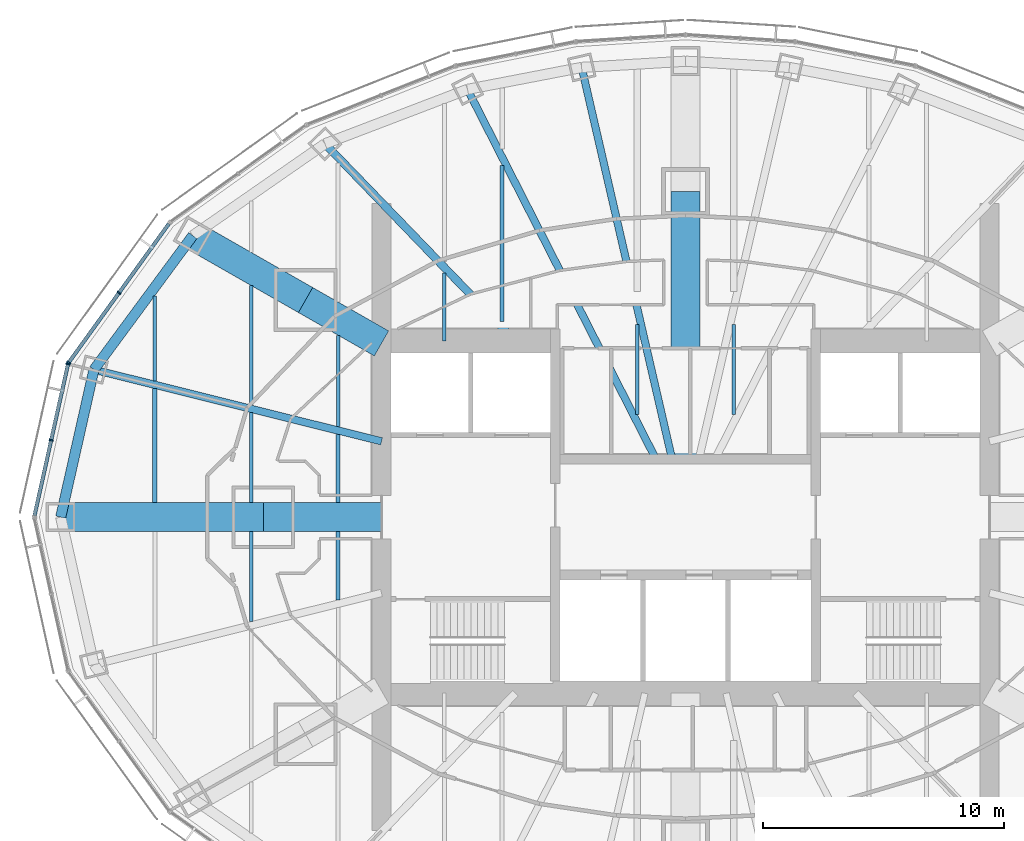
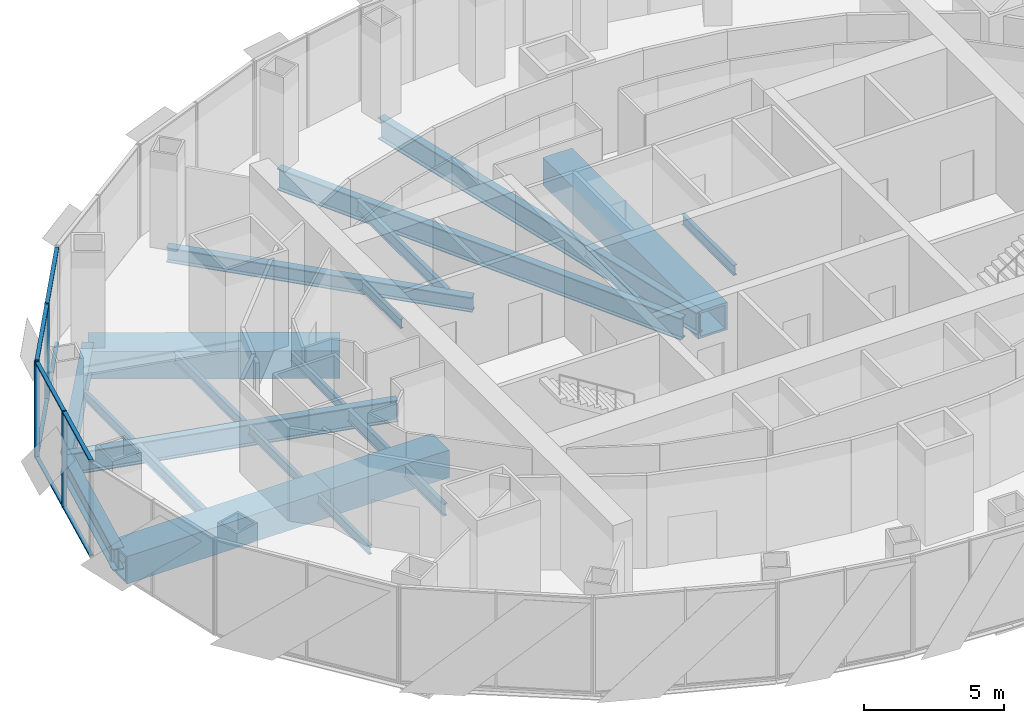
# One storey, part 4 of 17: 23 beams, 12 members, 2 elements without a shape of their own.
"""IFC4 building model written with IfcOpenShell, lengths in metres."""

import ifcopenshell
import ifcopenshell.guid

model = None  # the IFC model being written
_history = None  # IfcOwnerHistory: only IFC2X3 demands one
_inside = {}  # id of a spatial element -> (the spatial element, [elements in it])
_under = {}  # id of a project, library or spatial element -> (it, [spatial elements below it])
_declared = {}  # id of a project -> (the project, [libraries it declares])
_typed = {}  # id of a type object -> (the type object, [elements of that type])
_made_of = {}  # id of a material, layer set ... -> (it, [elements and type objects made of it])


def new_model(schema):
    """Start an empty IFC model of exactly this schema.

    Asked for "IFC4X3", IfcOpenShell would pick the latest addendum, in which some entities
    have other attributes; the version numbers below select the first issue.
    IFC2X3 requires an IfcOwnerHistory on every rooted entity: one is made here for all.
    """
    global model, _history
    if schema == "IFC4X3":
        model = ifcopenshell.file(schema_version=(4, 3, 0, 0))
    else:
        model = ifcopenshell.file(schema=schema)
    _inside.clear()
    _under.clear()
    _declared.clear()
    _typed.clear()
    _made_of.clear()
    _history = None
    if model.schema == "IFC2X3":
        org = make("IfcOrganization", Name="unknown")
        user = make(
            "IfcPersonAndOrganization",
            ThePerson=make("IfcPerson", FamilyName="unknown"),
            TheOrganization=org,
        )
        app = make(
            "IfcApplication",
            ApplicationDeveloper=org,
            Version="unknown",
            ApplicationFullName="unknown",
            ApplicationIdentifier="unknown",
        )
        _history = make(
            "IfcOwnerHistory",
            OwningUser=user,
            OwningApplication=app,
            ChangeAction="ADDED",
            CreationDate=0,
        )
    return model


def make(cls, **values):
    """One entity of the class cls with the attributes given. An attribute that is None is left unset."""
    return model.create_entity(
        cls, **{name: value for name, value in values.items() if value is not None}
    )


def rooted(cls, **values):
    """An entity with a GlobalId (a new one), such as an element, a storey or a relation."""
    return make(cls, GlobalId=ifcopenshell.guid.new(), OwnerHistory=_history, **values)


def si_unit(unit_type, name, prefix=None):
    """IfcSIUnit, for example si_unit("LENGTHUNIT", "METRE", prefix="MILLI")."""
    return make("IfcSIUnit", UnitType=unit_type, Prefix=prefix, Name=name)


def assignment(units):
    """IfcUnitAssignment: the units of a project."""
    return None if units is None else make("IfcUnitAssignment", Units=units)


def point(xyz):
    """IfcCartesianPoint."""
    return None if xyz is None else make("IfcCartesianPoint", Coordinates=xyz)


def direction(xyz):
    """IfcDirection."""
    return None if xyz is None else make("IfcDirection", DirectionRatios=xyz)


def frame(location, z_axis=None, x_axis=None):
    """IfcAxis2Placement3D, a coordinate frame: its origin and axes. An axis left out is left unset."""
    return make(
        "IfcAxis2Placement3D",
        Location=point(location),
        Axis=direction(z_axis),
        RefDirection=direction(x_axis),
    )


def frame_2d(location, x_axis=None):
    """IfcAxis2Placement2D, a coordinate frame in the plane: its origin and x axis."""
    return make(
        "IfcAxis2Placement2D", Location=point(location), RefDirection=direction(x_axis)
    )


def origin():
    """The frame at (0, 0, 0) with its axes left unset."""
    return frame((0.0, 0.0, 0.0))


def origin_2d():
    """The frame at (0, 0) in the plane with its x axis left unset."""
    return frame_2d((0.0, 0.0))


def place(relative_to, where):
    """IfcLocalPlacement: puts the frame where relative to a parent placement (None: the world)."""
    return make(
        "IfcLocalPlacement", PlacementRelTo=relative_to, RelativePlacement=where
    )


def context(
    kind, dimensions, precision=None, world=None, true_north=None, identifier=None
):
    """IfcGeometricRepresentationContext, for example the 3D "Model" context."""
    return make(
        "IfcGeometricRepresentationContext",
        ContextIdentifier=identifier,
        ContextType=kind,
        CoordinateSpaceDimension=dimensions,
        Precision=precision,
        WorldCoordinateSystem=world,
        TrueNorth=true_north,
    )


def subcontext(parent, identifier, kind, view, scale=None):
    """IfcGeometricRepresentationSubContext, for example "Body" below "Model"."""
    return make(
        "IfcGeometricRepresentationSubContext",
        ContextIdentifier=identifier,
        ContextType=kind,
        ParentContext=parent,
        TargetScale=scale,
        TargetView=view,
    )


def project(units=None, contexts=None):
    """IfcProject with its units and contexts."""
    return rooted(
        "IfcProject",
        Name="project",
        RepresentationContexts=contexts,
        UnitsInContext=assignment(units),
    )


def spatial(cls, under=None, at=None, **own):
    """A site, building, storey or space (cls), placed at a placement, below another one or the project."""
    s = rooted(cls, ObjectPlacement=at, **own)
    if under is not None:
        _under.setdefault(under.id(), (under, []))[1].append(s)
    return s


def profile(cls, at=None, kind="AREA", **sizes):
    """A parametric profile (cls). Its sizes go by their IFC names, for example OverallWidth=200.0."""
    return make(cls, ProfileType=kind, Position=at, **sizes)


def rectangle(**sizes):
    """IfcRectangleProfileDef."""
    return profile("IfcRectangleProfileDef", **sizes)


def hollow_rectangle(**sizes):
    """IfcRectangleHollowProfileDef."""
    return profile("IfcRectangleHollowProfileDef", **sizes)


def i_section(**sizes):
    """IfcIShapeProfileDef."""
    return profile("IfcIShapeProfileDef", **sizes)


def extrude(swept, where, along, depth):
    """IfcExtrudedAreaSolid: the profile swept, set in the frame where, extruded along a direction by depth."""
    return make(
        "IfcExtrudedAreaSolid",
        SweptArea=swept,
        Position=where,
        ExtrudedDirection=direction(along),
        Depth=depth,
    )


def shape(context_of_items, identifier, shape_type, items):
    """IfcShapeRepresentation: the items that make up one representation, for example the "Body"."""
    return make(
        "IfcShapeRepresentation",
        ContextOfItems=context_of_items,
        RepresentationIdentifier=identifier,
        RepresentationType=shape_type,
        Items=items,
    )


def material(Name=None, Category=None):
    """IfcMaterial."""
    return make("IfcMaterial", Name=Name, Category=Category)


def material_profile(
    of_material, cross_section, Name=None, Category=None, Priority=None
):
    """IfcMaterialProfile: a cross section and its material."""
    return make(
        "IfcMaterialProfile",
        Name=Name,
        Material=of_material,
        Profile=cross_section,
        Priority=Priority,
        Category=Category,
    )


def profile_set(profiles, Name=None, composite=None):
    """IfcMaterialProfileSet."""
    return make(
        "IfcMaterialProfileSet",
        Name=Name,
        MaterialProfiles=profiles,
        CompositeProfile=composite,
    )


def made_of(thing, what):
    """Note that an element or type object is made of a material, layer set ...; save() writes the relation."""
    if what is not None:
        _made_of.setdefault(what.id(), (what, []))[1].append(thing)
    return thing


def type_object(cls, material=None, **own):
    """A type object (cls), such as IfcWallType, which elements share."""
    return made_of(rooted(cls, **own), material)


def element(
    cls,
    number,
    at=None,
    inside=None,
    cuts=None,
    type_object=None,
    material=None,
    context=None,
    identifier="Body",
    shape_type=None,
    held_by="IfcProductDefinitionShape",
    body=None,
    shapes=None,
    **own,
):
    """One element of the class cls, such as IfcWall. Its Tag is "e" and its number.

    at: its placement. inside: the storey or other place that contains it. cuts: it is an
    opening in that element (IfcRelVoidsElement). A single representation is given by context,
    identifier, shape_type and body (its items); several are given by shapes. held_by: the class
    of the entity that holds the representations. save() writes the other relations.
    """
    e = rooted(cls, Tag="e%d" % number, ObjectPlacement=at, **own)
    if body is not None:
        shapes = [shape(context, identifier, shape_type, body)]
    if shapes is not None:
        e.Representation = make(held_by, Representations=shapes)
    if inside is not None:
        _inside.setdefault(inside.id(), (inside, []))[1].append(e)
    if cuts is not None:
        rooted(
            "IfcRelVoidsElement", RelatingBuildingElement=cuts, RelatedOpeningElement=e
        )
    if type_object is not None:
        _typed.setdefault(type_object.id(), (type_object, []))[1].append(e)
    return made_of(e, material)


def aggregate(whole, parts):
    """IfcRelAggregates: a whole, such as a stair, and the parts it consists of."""
    return rooted("IfcRelAggregates", RelatingObject=whole, RelatedObjects=parts)


def save(model, path):
    """Write the relations noted so far, then the file.

    IfcRelAggregates (storeys below a building ...), IfcRelContainedInSpatialStructure (elements
    in a storey), IfcRelDefinesByType, IfcRelAssociatesMaterial and IfcRelDeclares: one each for
    every whole, place, type object, material and project.
    """
    for whole, parts in _under.values():
        aggregate(whole, parts)
    for where, things in _inside.values():
        rooted(
            "IfcRelContainedInSpatialStructure",
            RelatedElements=things,
            RelatingStructure=where,
        )
    for kind, things in _typed.values():
        rooted("IfcRelDefinesByType", RelatedObjects=things, RelatingType=kind)
    for what, things in _made_of.values():
        rooted("IfcRelAssociatesMaterial", RelatedObjects=things, RelatingMaterial=what)
    for by, libraries in _declared.values():
        rooted("IfcRelDeclares", RelatingContext=by, RelatedDefinitions=libraries)
    model.write(path)


model = new_model("IFC4")

# Units and contexts
model_context = context("Model", 3, precision=1e-05, world=origin(), true_north=direction((0.0, 1.0)))
body_context = subcontext(model_context, "Body", "Model", "MODEL_VIEW")
ifc_project = project(units=[si_unit("LENGTHUNIT", "METRE"), si_unit("AREAUNIT", "SQUARE_METRE"), si_unit("VOLUMEUNIT", "CUBIC_METRE"), si_unit("PLANEANGLEUNIT", "RADIAN"), si_unit("MASSUNIT", "GRAM", prefix="KILO")], contexts=[model_context])

# Site, building, storey
site_placement = place(None, origin())
site = spatial("IfcSite", under=ifc_project, at=site_placement, CompositionType="ELEMENT")
building_placement = place(site_placement, origin())
building = spatial("IfcBuilding", under=site, at=building_placement, Name="Lantaw Convention Tower", CompositionType="ELEMENT")
storey_placement = place(building_placement, frame((0.0, 0.0, 203.199951171875)))
storey = spatial("IfcBuildingStorey", under=building, at=storey_placement, Name="L47", CompositionType="ELEMENT", Elevation=203.199951171875)

# Beams
ifc_material_1 = material(Name="Steel ASTM A992", Category="steel")
ifc_material_profile_1 = material_profile(ifc_material_1, i_section(OverallWidth=0.424072265625, OverallDepth=0.947509765625, WebThickness=0.02392578125, FlangeThickness=0.042724609375, FilletRadius=0.012451171875, at=origin_2d()), Name="W36X302")
ifc_profile_set_1 = profile_set([ifc_material_profile_1], Name="Steel ASTM A992")
beam_type_1 = type_object("IfcBeamType", Name="Beam BC W36X302", PredefinedType="SPANDREL", material=ifc_profile_set_1)
beam_1_placement = place(storey_placement, frame((-20.423095703125, 11.67041015625, -0.623779296875), z_axis=(-0.593639188853, -0.804731329984, 0.0), x_axis=(0.804731329984, -0.593639188853, 0.0)))
element("IfcBeam", 1, at=beam_1_placement, inside=storey, type_object=beam_type_1, Name="Belt truss chord 11", PredefinedType="SPANDREL", context=body_context, shape_type="SweptSolid", body=[
    extrude(i_section(OverallWidth=0.424072265625, OverallDepth=0.947509765625, WebThickness=0.02392578125, FlangeThickness=0.042724609375, FilletRadius=0.012451171875, at=origin_2d()), origin(), (0.0, 0.0, 1.0), 6.904541015625),
])
beam_2_placement = place(storey_placement, frame((-24.52197265625, 6.114013671875, -0.623779296875), z_axis=(-0.219857926596, -0.97553190215, 0.0), x_axis=(0.97553190215, -0.219857926596, 0.0)))
element("IfcBeam", 2, at=beam_2_placement, inside=storey, type_object=beam_type_1, Name="Belt truss chord 12", PredefinedType="SPANDREL", context=body_context, shape_type="SweptSolid", body=[
    extrude(i_section(OverallWidth=0.424072265625, OverallDepth=0.947509765625, WebThickness=0.02392578125, FlangeThickness=0.042724609375, FilletRadius=0.012451171875, at=origin_2d()), origin(), (0.0, 0.0, 1.0), 6.267333984375),
])
ifc_material_2 = material(Name="Steel EN 10025-3 S460N", Category="steel")
ifc_material_profile_2 = material_profile(ifc_material_2, hollow_rectangle(XDim=1.199951171875, YDim=1.199951171875, WallThickness=0.10009765625, at=origin_2d()), Name="BOX1200X100")
ifc_profile_set_2 = profile_set([ifc_material_profile_2], Name="Steel EN 10025-3 S460N")
beam_type_2 = type_object("IfcBeamType", Name="Beam G BOX1200X100", PredefinedType="BEAM", material=ifc_profile_set_2)
beam_3_placement = place(storey_placement, frame((-15.75, 9.0, -0.75), z_axis=(-0.868237559289, 0.496148708192, 0.0), x_axis=(-0.496148708192, -0.868237559289, 0.0)))
element("IfcBeam", 3, at=beam_3_placement, inside=storey, type_object=beam_type_2, Name="Floor girder on ray 11", PredefinedType="BEAM", context=body_context, shape_type="SweptSolid", body=[
    extrude(hollow_rectangle(XDim=1.199951171875, YDim=1.199951171875, WallThickness=0.10009765625, at=origin_2d()), origin(), (0.0, 0.0, 1.0), 5.38232421875),
])
beam_4_placement = place(storey_placement, frame((-17.5, 0.0, -0.75), z_axis=(-1.0, 0.0, 0.0), x_axis=(0.0, -1.0, 0.0)))
element("IfcBeam", 4, at=beam_4_placement, inside=storey, type_object=beam_type_2, Name="Floor girder on ray 13", PredefinedType="BEAM", context=body_context, shape_type="SweptSolid", body=[
    extrude(hollow_rectangle(XDim=1.199951171875, YDim=1.199951171875, WallThickness=0.10009765625, at=origin_2d()), origin(), (0.0, 0.0, 1.0), 8.39990234375),
])
ifc_material_profile_3 = material_profile(ifc_material_1, i_section(OverallWidth=0.32763671875, OverallDepth=0.64013671875, WebThickness=0.01904296875, FlangeThickness=0.033935546875, FilletRadius=0.0126953125, at=origin_2d()), Name="W24X176")
ifc_profile_set_3 = profile_set([ifc_material_profile_3], Name="Steel ASTM A992")
beam_type_3 = type_object("IfcBeamType", Name="Beam G W24X176", PredefinedType="BEAM", material=ifc_profile_set_3)
beam_5_placement = place(storey_placement, frame((-7.049560546875, 7.300048828125, -0.469970703125), z_axis=(-0.694657766726, 0.719340383356, 0.0), x_axis=(-0.719340383356, -0.694657766726, 0.0)))
element("IfcBeam", 5, at=beam_5_placement, inside=storey, type_object=beam_type_3, Name="Floor girder on ray 10", PredefinedType="BEAM", context=body_context, shape_type="SweptSolid", body=[
    extrude(i_section(OverallWidth=0.32763671875, OverallDepth=0.64013671875, WebThickness=0.01904296875, FlangeThickness=0.033935546875, FilletRadius=0.0126953125, at=origin_2d()), origin(), (0.0, 0.0, 1.0), 11.364990234375),
])
ifc_material_profile_4 = material_profile(ifc_material_1, i_section(OverallWidth=0.307373046875, OverallDepth=0.9423828125, WebThickness=0.022216796875, FlangeThickness=0.039794921875, FilletRadius=0.0126953125, at=origin_2d()), Name="W36X232")
ifc_profile_set_4 = profile_set([ifc_material_profile_4], Name="Steel ASTM A992")
beam_type_4 = type_object("IfcBeamType", Name="Beam G W36X232", PredefinedType="BEAM", material=ifc_profile_set_4)
beam_6_placement = place(storey_placement, frame((-0.55419921875, 2.39990234375, -0.62109375), z_axis=(-0.224948287002, 0.974370703672, 0.0), x_axis=(-0.974370703672, -0.224948287002, 0.0)))
element("IfcBeam", 6, at=beam_6_placement, inside=storey, type_object=beam_type_4, Name="Floor girder on ray 8", PredefinedType="BEAM", context=body_context, shape_type="SweptSolid", body=[
    extrude(i_section(OverallWidth=0.307373046875, OverallDepth=0.9423828125, WebThickness=0.022216796875, FlangeThickness=0.039794921875, FilletRadius=0.0126953125, at=origin_2d()), origin(), (0.0, 0.0, 1.0), 16.66943359375),
])
beam_7_placement = place(storey_placement, frame((-1.222900390625, 2.39990234375, -0.62109375), z_axis=(-0.453988481463, 0.891007552549, 0.0), x_axis=(-0.891007552549, -0.453988481463, 0.0)))
element("IfcBeam", 7, at=beam_7_placement, inside=storey, type_object=beam_type_4, Name="Floor girder on ray 9", PredefinedType="BEAM", context=body_context, shape_type="SweptSolid", body=[
    extrude(i_section(OverallWidth=0.307373046875, OverallDepth=0.9423828125, WebThickness=0.022216796875, FlangeThickness=0.039794921875, FilletRadius=0.0126953125, at=origin_2d()), origin(), (0.0, 0.0, 1.0), 17.20703125),
])
beam_8_placement = place(storey_placement, frame((-12.60009765625, 3.1416015625, -0.62109375), z_axis=(-0.970296589314, 0.241918434119, 0.0), x_axis=(-0.241918434119, -0.970296589314, 0.0)))
element("IfcBeam", 8, at=beam_8_placement, inside=storey, type_object=beam_type_4, Name="Floor girder on ray 12", PredefinedType="BEAM", context=body_context, shape_type="SweptSolid", body=[
    extrude(i_section(OverallWidth=0.307373046875, OverallDepth=0.9423828125, WebThickness=0.022216796875, FlangeThickness=0.039794921875, FilletRadius=0.0126953125, at=origin_2d()), origin(), (0.0, 0.0, 1.0), 12.286865234375),
])
ifc_material_profile_5 = material_profile(ifc_material_1, i_section(OverallWidth=0.140380859375, OverallDepth=0.40380859375, WebThickness=0.007080078125, FlangeThickness=0.01123046875, FilletRadius=0.01025390625, at=origin_2d()), Name="W16X31")
ifc_profile_set_5 = profile_set([ifc_material_profile_5], Name="Steel ASTM A992")
beam_type_5 = type_object("IfcBeamType", Name="Beam J W16X31", PredefinedType="JOIST", material=ifc_profile_set_5)
beam_9_placement = place(storey_placement, frame((-22.0, 5.6435546875, -0.351806640625), z_axis=(0.0, 1.0, 0.0), x_axis=(-1.0, 0.0, 0.0)))
element("IfcBeam", 9, at=beam_9_placement, inside=storey, type_object=beam_type_5, Name="Floor joist", PredefinedType="JOIST", context=body_context, shape_type="SweptSolid", body=[
    extrude(i_section(OverallWidth=0.140380859375, OverallDepth=0.40380859375, WebThickness=0.007080078125, FlangeThickness=0.01123046875, FilletRadius=0.01025390625, at=origin_2d()), origin(), (0.0, 0.0, 1.0), 3.531982421875),
])
for number, where, z_axis, x_axis, name in (
    (10, (-18.0, -4.32958984375, -0.351806640625), (0.0, 1.0, 0.0), (-1.0, 0.0, 0.0), "Floor joist"),
    (11, (-18.0, 0.60009765625, -0.351806640625), (0.0, 1.0, 0.0), (-1.0, 0.0, 0.0), "Floor joist"),
):
    element("IfcBeam", number, at=place(storey_placement, frame(where, z_axis=z_axis, x_axis=x_axis)), inside=storey, type_object=beam_type_5, Name=name, PredefinedType="JOIST", context=body_context, shape_type="SweptSolid", body=[
        extrude(i_section(OverallWidth=0.140380859375, OverallDepth=0.40380859375, WebThickness=0.007080078125, FlangeThickness=0.01123046875, FilletRadius=0.01025390625, at=origin_2d()), origin(), (0.0, 0.0, 1.0), 3.7294921875),
    ])
beam_10_placement = place(storey_placement, frame((-14.39990234375, 3.748779296875, -0.351806640625), z_axis=(0.0, 1.0, 0.0), x_axis=(-1.0, 0.0, 0.0)))
element("IfcBeam", 12, at=beam_10_placement, inside=storey, type_object=beam_type_5, Name="Floor joist", PredefinedType="JOIST", context=body_context, shape_type="SweptSolid", body=[
    extrude(i_section(OverallWidth=0.140380859375, OverallDepth=0.40380859375, WebThickness=0.007080078125, FlangeThickness=0.01123046875, FilletRadius=0.01025390625, at=origin_2d()), origin(), (0.0, 0.0, 1.0), 3.788818359375),
])
beam_11_placement = place(storey_placement, frame((-10.0, 7.300048828125, -0.351806640625), z_axis=(0.0, 1.0, 0.0), x_axis=(-1.0, 0.0, 0.0)))
element("IfcBeam", 13, at=beam_11_placement, inside=storey, type_object=beam_type_5, Name="Floor joist", PredefinedType="JOIST", context=body_context, shape_type="SweptSolid", body=[
    extrude(i_section(OverallWidth=0.140380859375, OverallDepth=0.40380859375, WebThickness=0.007080078125, FlangeThickness=0.01123046875, FilletRadius=0.01025390625, at=origin_2d()), origin(), (0.0, 0.0, 1.0), 2.8193359375),
])
ifc_material_profile_6 = material_profile(ifc_material_1, i_section(OverallWidth=0.15234375, OverallDepth=0.449462890625, WebThickness=0.007568359375, FlangeThickness=0.0107421875, FilletRadius=0.01025390625, at=origin_2d()), Name="W18X35")
ifc_profile_set_6 = profile_set([ifc_material_profile_6], Name="Steel ASTM A992")
beam_type_6 = type_object("IfcBeamType", Name="Beam J W18X35", PredefinedType="JOIST", material=ifc_profile_set_6)
beam_12_placement = place(storey_placement, frame((-18.0, 4.646240234375, -0.374755859375), z_axis=(0.0, 1.0, 0.0), x_axis=(-1.0, 0.0, 0.0)))
element("IfcBeam", 14, at=beam_12_placement, inside=storey, type_object=beam_type_6, Name="Floor joist", PredefinedType="JOIST", context=body_context, shape_type="SweptSolid", body=[
    extrude(i_section(OverallWidth=0.15234375, OverallDepth=0.449462890625, WebThickness=0.007568359375, FlangeThickness=0.0107421875, FilletRadius=0.01025390625, at=origin_2d()), origin(), (0.0, 0.0, 1.0), 4.948486328125),
])
for number, where, z_axis, x_axis, name in (
    (15, (-2.0, 4.263671875, -0.374755859375), (0.0, 1.0, 0.0), (-1.0, 0.0, 0.0), "Floor joist"),
    (16, (2.0, 4.263671875, -0.374755859375), (0.0, 1.0, 0.0), (-1.0, 0.0, 0.0), "Floor joist"),
):
    element("IfcBeam", number, at=place(storey_placement, frame(where, z_axis=z_axis, x_axis=x_axis)), inside=storey, type_object=beam_type_6, Name=name, PredefinedType="JOIST", context=body_context, shape_type="SweptSolid", body=[
        extrude(i_section(OverallWidth=0.15234375, OverallDepth=0.449462890625, WebThickness=0.007568359375, FlangeThickness=0.0107421875, FilletRadius=0.01025390625, at=origin_2d()), origin(), (0.0, 0.0, 1.0), 3.716064453125),
    ])
ifc_material_profile_7 = material_profile(ifc_material_1, i_section(OverallWidth=0.1904296875, OverallDepth=0.457275390625, WebThickness=0.009033203125, FlangeThickness=0.014404296875, FilletRadius=0.01025390625, at=origin_2d()), Name="W18X50")
ifc_profile_set_7 = profile_set([ifc_material_profile_7], Name="Steel ASTM A992")
beam_type_7 = type_object("IfcBeamType", Name="Beam J W18X50", PredefinedType="JOIST", material=ifc_profile_set_7)
beam_13_placement = place(storey_placement, frame((-22.0, 0.60009765625, -0.378662109375), z_axis=(0.0, 1.0, 0.0), x_axis=(-1.0, 0.0, 0.0)))
element("IfcBeam", 17, at=beam_13_placement, inside=storey, type_object=beam_type_7, Name="Floor joist", PredefinedType="JOIST", context=body_context, shape_type="SweptSolid", body=[
    extrude(i_section(OverallWidth=0.1904296875, OverallDepth=0.457275390625, WebThickness=0.009033203125, FlangeThickness=0.014404296875, FilletRadius=0.01025390625, at=origin_2d()), origin(), (0.0, 0.0, 1.0), 4.726806640625),
])
ifc_material_profile_8 = material_profile(ifc_material_1, i_section(OverallWidth=0.1650390625, OverallDepth=0.52587890625, WebThickness=0.0087890625, FlangeThickness=0.011474609375, FilletRadius=0.0126953125, at=origin_2d()), Name="W21X44")
ifc_profile_set_8 = profile_set([ifc_material_profile_8], Name="Steel ASTM A992")
beam_type_8 = type_object("IfcBeamType", Name="Beam J W21X44", PredefinedType="JOIST", material=ifc_profile_set_8)
for number, where, z_axis, x_axis, name in (
    (18, (-14.39990234375, -3.431884765625, -0.412841796875), (0.0, 1.0, 0.0), (-1.0, 0.0, 0.0), "Floor joist"),
    (19, (-14.39990234375, 0.60009765625, -0.412841796875), (0.0, 1.0, 0.0), (-1.0, 0.0, 0.0), "Floor joist"),
):
    element("IfcBeam", number, at=place(storey_placement, frame(where, z_axis=z_axis, x_axis=x_axis)), inside=storey, type_object=beam_type_8, Name=name, PredefinedType="JOIST", context=body_context, shape_type="SweptSolid", body=[
        extrude(i_section(OverallWidth=0.1650390625, OverallDepth=0.52587890625, WebThickness=0.0087890625, FlangeThickness=0.011474609375, FilletRadius=0.0126953125, at=origin_2d()), origin(), (0.0, 0.0, 1.0), 2.831787109375),
    ])
beam_14_placement = place(storey_placement, frame((-7.60009765625, 8.10595703125, -0.412841796875), z_axis=(0.0, 1.0, 0.0), x_axis=(-1.0, 0.0, 0.0)))
element("IfcBeam", 20, at=beam_14_placement, inside=storey, type_object=beam_type_8, Name="Floor joist", PredefinedType="JOIST", context=body_context, shape_type="SweptSolid", body=[
    extrude(i_section(OverallWidth=0.1650390625, OverallDepth=0.52587890625, WebThickness=0.0087890625, FlangeThickness=0.011474609375, FilletRadius=0.0126953125, at=origin_2d()), origin(), (0.0, 0.0, 1.0), 6.471435546875),
])
ifc_material_profile_9 = material_profile(ifc_material_2, hollow_rectangle(XDim=1.199951171875, YDim=1.199951171875, WallThickness=0.10009765625, at=origin_2d()), Name="BOX1200X100")
ifc_profile_set_9 = profile_set([ifc_material_profile_9], Name="Steel EN 10025-3 S460N")
beam_type_9 = type_object("IfcBeamType", Name="Beam OC BOX1200X100", PredefinedType="BEAM", material=ifc_profile_set_9)
beam_15_placement = place(storey_placement, frame((0.0, 2.39990234375, -0.75), z_axis=(0.0, 1.0, 0.0), x_axis=(-1.0, 0.0, 0.0)))
element("IfcBeam", 21, at=beam_15_placement, inside=storey, type_object=beam_type_9, Name="Outrigger chord on ray 7", PredefinedType="BEAM", context=body_context, shape_type="SweptSolid", body=[
    extrude(hollow_rectangle(XDim=1.199951171875, YDim=1.199951171875, WallThickness=0.10009765625, at=origin_2d()), origin(), (0.0, 0.0, 1.0), 11.10009765625),
])
beam_16_placement = place(storey_placement, frame((-12.60009765625, 7.199951171875, -0.75), z_axis=(-0.868230718294, 0.496160679428, 0.0), x_axis=(-0.496160679428, -0.868230718294, 0.0)))
element("IfcBeam", 22, at=beam_16_placement, inside=storey, type_object=beam_type_9, Name="Outrigger chord on ray 11", PredefinedType="BEAM", context=body_context, shape_type="SweptSolid", body=[
    extrude(hollow_rectangle(XDim=1.199951171875, YDim=1.199951171875, WallThickness=0.10009765625, at=origin_2d()), origin(), (0.0, 0.0, 1.0), 3.6279296875),
])
beam_17_placement = place(storey_placement, frame((-12.60009765625, 0.0, -0.75), z_axis=(-1.0, 0.0, 0.0), x_axis=(0.0, -1.0, 0.0)))
element("IfcBeam", 23, at=beam_17_placement, inside=storey, type_object=beam_type_9, Name="Outrigger chord on ray 13", PredefinedType="BEAM", context=body_context, shape_type="SweptSolid", body=[
    extrude(hollow_rectangle(XDim=1.199951171875, YDim=1.199951171875, WallThickness=0.10009765625, at=origin_2d()), origin(), (0.0, 0.0, 1.0), 4.89990234375),
])

# Curtain wall, members
ifc_material_3 = material(Name="Aluminium framed curtain wall", Category="aluminium")
curtain_wall_type = type_object("IfcCurtainWallType", Name="Office curtain wall high rise, pale aluminium", PredefinedType="USERDEFINED", material=ifc_material_3)
curtain_wall_1_placement = place(storey_placement, origin())
curtain_wall_1 = element("IfcCurtainWall", 24, at=curtain_wall_1_placement, inside=storey, type_object=curtain_wall_type, Name="Office curtain wall high rise, pale aluminium L47", ObjectType="UNITISED CURTAIN WALL", PredefinedType="USERDEFINED")
ifc_material_4 = material(Name="Aluminium 6063-T6", Category="aluminium")
ifc_material_profile_10 = material_profile(ifc_material_4, rectangle(XDim=0.179931640625, YDim=0.06494140625, at=origin_2d()), Name="CW-O2 mullion 65x180")
ifc_profile_set_10 = profile_set([ifc_material_profile_10], Name="Aluminium 6063-T6")
member_type_1 = type_object("IfcMemberType", Name="CW-O2 mullion 65x180", PredefinedType="MULLION", material=ifc_profile_set_10)
member_1_placement = place(storey_placement, frame((-23.483642578125, 9.298095703125, -0.14990234375), z_axis=(0.0, 0.0, 1.0), x_axis=(0.810919559405, -0.585157643865, 0.0)))
member_1 = element("IfcMember", 25, at=member_1_placement, type_object=member_type_1, Name="CW-O2 mullion 2", PredefinedType="MULLION", context=body_context, shape_type="SweptSolid", body=[
    extrude(rectangle(XDim=0.179931640625, YDim=0.06494140625, at=origin_2d()), origin(), (0.0, 0.0, 1.0), 4.199951171875),
])
member_2_placement = place(storey_placement, frame((-25.5703125, 6.406494140625, -0.14990234375), z_axis=(0.0, 0.0, 1.0), x_axis=(0.810919559405, -0.585157643865, 0.0)))
member_2 = element("IfcMember", 26, at=member_2_placement, type_object=member_type_1, Name="CW-O2 mullion 3", PredefinedType="MULLION", context=body_context, shape_type="SweptSolid", body=[
    extrude(rectangle(XDim=0.179931640625, YDim=0.06494140625, at=origin_2d()), origin(), (0.0, 0.0, 1.0), 4.199951171875),
])

curtain_wall_2_placement = place(storey_placement, origin())
curtain_wall_2 = element("IfcCurtainWall", 27, at=curtain_wall_2_placement, inside=storey, type_object=curtain_wall_type, Name="Office curtain wall high rise, pale aluminium L47", ObjectType="UNITISED CURTAIN WALL", PredefinedType="USERDEFINED")
member_3_placement = place(storey_placement, frame((-25.596435546875, 6.348388671875, -0.14990234375), z_axis=(0.0, 0.0, 1.0), x_axis=(0.976417396437, -0.215891333626, 0.0)))
member_3 = element("IfcMember", 28, at=member_3_placement, type_object=member_type_1, Name="CW-O2 mullion 1", PredefinedType="MULLION", context=body_context, shape_type="SweptSolid", body=[
    extrude(rectangle(XDim=0.179931640625, YDim=0.06494140625, at=origin_2d()), origin(), (0.0, 0.0, 1.0), 4.199951171875),
])
member_4_placement = place(storey_placement, frame((-26.294677734375, 3.190185546875, -0.14990234375), z_axis=(0.0, 0.0, 1.0), x_axis=(0.976417396437, -0.215891333626, 0.0)))
member_4 = element("IfcMember", 29, at=member_4_placement, type_object=member_type_1, Name="CW-O2 mullion 2", PredefinedType="MULLION", context=body_context, shape_type="SweptSolid", body=[
    extrude(rectangle(XDim=0.179931640625, YDim=0.06494140625, at=origin_2d()), origin(), (0.0, 0.0, 1.0), 4.199951171875),
])

# Member
ifc_material_profile_11 = material_profile(ifc_material_4, rectangle(XDim=0.14990234375, YDim=0.06494140625, at=origin_2d()), Name="CW-O2 transom 65x150")
ifc_profile_set_11 = profile_set([ifc_material_profile_11], Name="Aluminium 6063-T6")
member_type_2 = type_object("IfcMemberType", Name="CW-O2 transom 65x150", PredefinedType="USERDEFINED", material=ifc_profile_set_11)
member_5_placement = place(storey_placement, frame((-21.416259765625, 12.163330078125, -0.117431640625), z_axis=(-0.585123825205, -0.810943961798, 0.0), x_axis=(0.810943961798, -0.585123825205, 0.0)))
member_5 = element("IfcMember", 30, at=member_5_placement, type_object=member_type_2, Name="CW-O2 transom 1.1", ObjectType="TRANSOM", PredefinedType="USERDEFINED", context=body_context, shape_type="SweptSolid", body=[
    extrude(rectangle(XDim=0.14990234375, YDim=0.06494140625, at=origin_2d()), origin(), (0.0, 0.0, 1.0), 3.500732421875),
])

member_6_placement = place(storey_placement, frame((-21.416259765625, 12.163330078125, 4.017578125), z_axis=(-0.585123825205, -0.810943961798, 0.0), x_axis=(0.810943961798, -0.585123825205, 0.0)))
member_6 = element("IfcMember", 31, at=member_6_placement, type_object=member_type_2, Name="CW-O2 transom 1.2", ObjectType="TRANSOM", PredefinedType="USERDEFINED", context=body_context, shape_type="SweptSolid", body=[
    extrude(rectangle(XDim=0.14990234375, YDim=0.06494140625, at=origin_2d()), origin(), (0.0, 0.0, 1.0), 3.500732421875),
])

member_7_placement = place(storey_placement, frame((-23.502685546875, 9.271728515625, -0.117431640625), z_axis=(-0.585169685931, -0.810910869743, 0.0), x_axis=(0.810910869743, -0.585169685931, 0.0)))
member_7 = element("IfcMember", 32, at=member_7_placement, type_object=member_type_2, Name="CW-O2 transom 2.1", ObjectType="TRANSOM", PredefinedType="USERDEFINED", context=body_context, shape_type="SweptSolid", body=[
    extrude(rectangle(XDim=0.14990234375, YDim=0.06494140625, at=origin_2d()), origin(), (0.0, 0.0, 1.0), 3.500732421875),
])

member_8_placement = place(storey_placement, frame((-23.502685546875, 9.271728515625, 4.017578125), z_axis=(-0.585169685931, -0.810910869743, 0.0), x_axis=(0.810910869743, -0.585169685931, 0.0)))
member_8 = element("IfcMember", 33, at=member_8_placement, type_object=member_type_2, Name="CW-O2 transom 2.2", ObjectType="TRANSOM", PredefinedType="USERDEFINED", context=body_context, shape_type="SweptSolid", body=[
    extrude(rectangle(XDim=0.14990234375, YDim=0.06494140625, at=origin_2d()), origin(), (0.0, 0.0, 1.0), 3.500732421875),
])

aggregate(curtain_wall_1, [member_1, member_2, member_5, member_6, member_7, member_8])

member_9_placement = place(storey_placement, frame((-25.603271484375, 6.316650390625, -0.117431640625), z_axis=(-0.215894607042, -0.976416672661, 0.0), x_axis=(0.976416672661, -0.215894607042, 0.0)))
member_9 = element("IfcMember", 34, at=member_9_placement, type_object=member_type_2, Name="CW-O2 transom 1.1", ObjectType="TRANSOM", PredefinedType="USERDEFINED", context=body_context, shape_type="SweptSolid", body=[
    extrude(rectangle(XDim=0.14990234375, YDim=0.06494140625, at=origin_2d()), origin(), (0.0, 0.0, 1.0), 3.169677734375),
])

member_10_placement = place(storey_placement, frame((-25.603271484375, 6.316650390625, 4.017578125), z_axis=(-0.215894607042, -0.976416672661, 0.0), x_axis=(0.976416672661, -0.215894607042, 0.0)))
member_10 = element("IfcMember", 35, at=member_10_placement, type_object=member_type_2, Name="CW-O2 transom 1.2", ObjectType="TRANSOM", PredefinedType="USERDEFINED", context=body_context, shape_type="SweptSolid", body=[
    extrude(rectangle(XDim=0.14990234375, YDim=0.06494140625, at=origin_2d()), origin(), (0.0, 0.0, 1.0), 3.169677734375),
])

member_11_placement = place(storey_placement, frame((-26.3017578125, 3.158447265625, -0.117431640625), z_axis=(-0.215894607042, -0.976416672661, 0.0), x_axis=(0.976416672661, -0.215894607042, 0.0)))
member_11 = element("IfcMember", 36, at=member_11_placement, type_object=member_type_2, Name="CW-O2 transom 2.1", ObjectType="TRANSOM", PredefinedType="USERDEFINED", context=body_context, shape_type="SweptSolid", body=[
    extrude(rectangle(XDim=0.14990234375, YDim=0.06494140625, at=origin_2d()), origin(), (0.0, 0.0, 1.0), 3.169677734375),
])

member_12_placement = place(storey_placement, frame((-26.3017578125, 3.158447265625, 4.017578125), z_axis=(-0.215894607042, -0.976416672661, 0.0), x_axis=(0.976416672661, -0.215894607042, 0.0)))
member_12 = element("IfcMember", 37, at=member_12_placement, type_object=member_type_2, Name="CW-O2 transom 2.2", ObjectType="TRANSOM", PredefinedType="USERDEFINED", context=body_context, shape_type="SweptSolid", body=[
    extrude(rectangle(XDim=0.14990234375, YDim=0.06494140625, at=origin_2d()), origin(), (0.0, 0.0, 1.0), 3.169677734375),
])

aggregate(curtain_wall_2, [member_3, member_4, member_9, member_10, member_11, member_12])

save(model, "model.ifc")
